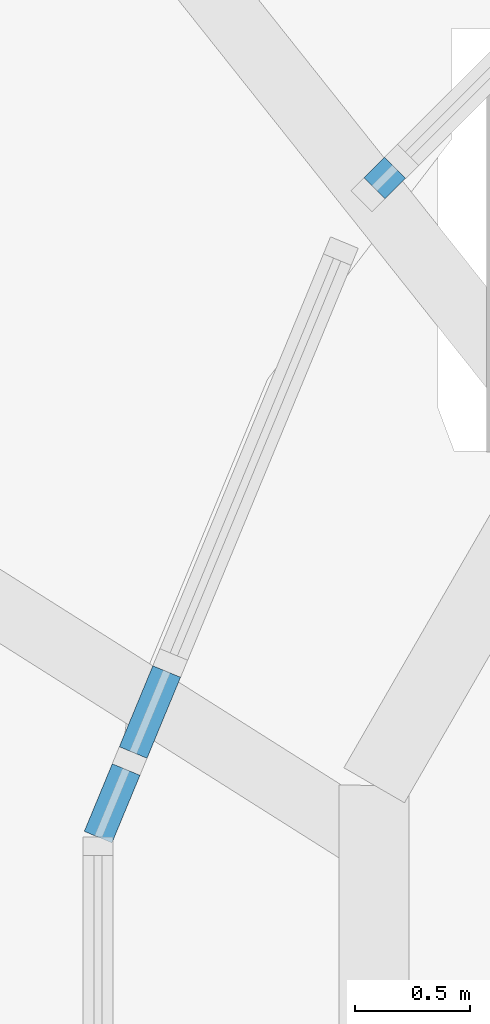
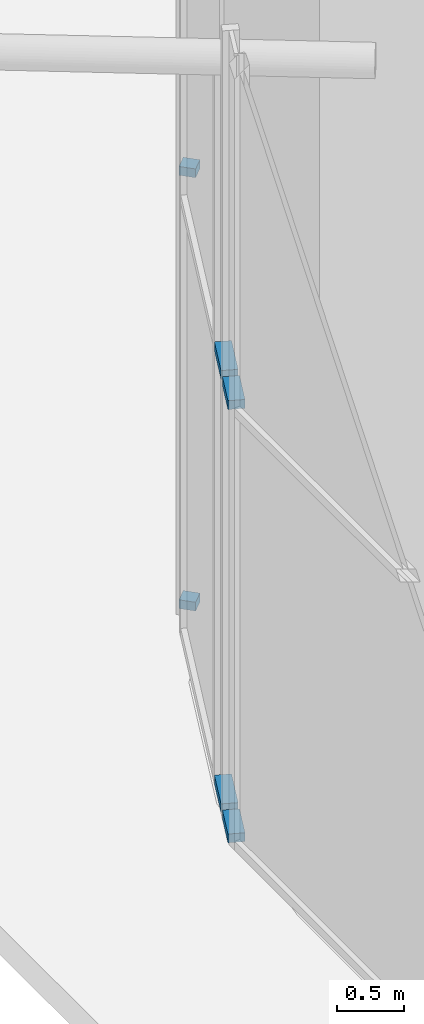
# One storey, part 15 of 34: 6 members, 3 elements without a shape of their own.
"""IFC4 building model written with IfcOpenShell, lengths in metres."""

from ifc_helpers import new_model, si_unit, direction, frame, origin, origin_2d, place, context, subcontext, project, spatial, rectangle, extrude, material, layer, layer_set, material_profile, profile_set, type_object, element, aggregate, save


model = new_model("IFC4")

# Units and contexts
model_context = context("Model", 3, precision=1e-05, world=origin(), true_north=direction((0.0, 1.0)))
body_context = subcontext(model_context, "Body", "Model", "MODEL_VIEW")
ifc_project = project(units=[si_unit("LENGTHUNIT", "METRE"), si_unit("AREAUNIT", "SQUARE_METRE"), si_unit("VOLUMEUNIT", "CUBIC_METRE"), si_unit("PLANEANGLEUNIT", "RADIAN"), si_unit("MASSUNIT", "GRAM", prefix="KILO")], contexts=[model_context])

# Site, building, storey
site_placement = place(None, origin())
site = spatial("IfcSite", under=ifc_project, at=site_placement, CompositionType="ELEMENT")
building_placement = place(site_placement, origin())
building = spatial("IfcBuilding", under=site, at=building_placement, Name="Marenta Gate Hotel Tower", CompositionType="ELEMENT")
storey_placement = place(building_placement, frame((0.0, 0.0, 97.699951171875)))
storey = spatial("IfcBuildingStorey", under=building, at=storey_placement, Name="L21", CompositionType="ELEMENT", Elevation=97.699951171875)

# Curtain wall, members
ifc_material_1 = material(Name="Tinted insulated glass in bronze anodised frame", Category="glass")
ifc_layer = layer(ifc_material_1, 0.1298828125)
ifc_layer_set = layer_set([ifc_layer], Name="Tinted insulated glass in bronze anodised frame")
curtain_wall_type = type_object("IfcCurtainWallType", Name="Sky lobby glazing CW2", PredefinedType="NOTDEFINED", material=ifc_layer_set)
curtain_wall_1_placement = place(storey_placement, origin())
curtain_wall_1 = element("IfcCurtainWall", 1, at=curtain_wall_1_placement, inside=storey, type_object=curtain_wall_type, Name="CW2 run G02", PredefinedType="NOTDEFINED")
ifc_material_2 = material(Name="Bronze anodised aluminium", Category="aluminium")
ifc_material_profile = material_profile(ifc_material_2, rectangle(XDim=0.1298828125, YDim=0.080078125, at=origin_2d()), Name="Transom CW2 80x130 bronze anodised aluminium")
ifc_profile_set = profile_set([ifc_material_profile], Name="Bronze anodised aluminium")
member_type = type_object("IfcMemberType", Name="Transom CW2 80x130 bronze anodised aluminium", PredefinedType="USERDEFINED", material=ifc_profile_set)
member_1_placement = place(storey_placement, frame((-26.031005859375, 25.967041015625, 0.0400390625), z_axis=(-0.707106781187, -0.707106781187, 0.0), x_axis=(0.707106781187, -0.707106781187, 0.0)))
member_1 = element("IfcMember", 2, at=member_1_placement, type_object=member_type, Name="CW2 transom 1.1", ObjectType="TRANSOM", PredefinedType="USERDEFINED", context=body_context, shape_type="SweptSolid", body=[
    extrude(rectangle(XDim=0.1298828125, YDim=0.080078125, at=origin_2d()), origin(), (0.0, 0.0, 1.0), 0.1259765625),
])
member_2_placement = place(storey_placement, frame((-26.031005859375, 25.967041015625, 4.0), z_axis=(-0.707106781187, -0.707106781187, 0.0), x_axis=(0.707106781187, -0.707106781187, 0.0)))
member_2 = element("IfcMember", 3, at=member_2_placement, type_object=member_type, Name="CW2 transom 1.2", ObjectType="TRANSOM", PredefinedType="USERDEFINED", context=body_context, shape_type="SweptSolid", body=[
    extrude(rectangle(XDim=0.1298828125, YDim=0.080078125, at=origin_2d()), origin(), (0.0, 0.0, 1.0), 0.1259765625),
])
aggregate(curtain_wall_1, [member_1, member_2])

curtain_wall_2_placement = place(storey_placement, origin())
curtain_wall_2 = element("IfcCurtainWall", 4, at=curtain_wall_2_placement, inside=storey, type_object=curtain_wall_type, Name="CW2 run G04", PredefinedType="NOTDEFINED")
member_3_placement = place(storey_placement, frame((-27.020263671875, 23.784423828125, 0.0400390625), z_axis=(-0.382560010025, -0.92393064606, 0.0), x_axis=(0.92393064606, -0.382560010025, 0.0)))
member_3 = element("IfcMember", 5, at=member_3_placement, type_object=member_type, Name="CW2 transom 1.1", ObjectType="TRANSOM", PredefinedType="USERDEFINED", context=body_context, shape_type="SweptSolid", body=[
    extrude(rectangle(XDim=0.1298828125, YDim=0.080078125, at=origin_2d()), origin(), (0.0, 0.0, 1.0), 0.379638671875),
])
member_4_placement = place(storey_placement, frame((-27.020263671875, 23.784423828125, 4.0), z_axis=(-0.382560010025, -0.92393064606, 0.0), x_axis=(0.92393064606, -0.382560010025, 0.0)))
member_4 = element("IfcMember", 6, at=member_4_placement, type_object=member_type, Name="CW2 transom 1.2", ObjectType="TRANSOM", PredefinedType="USERDEFINED", context=body_context, shape_type="SweptSolid", body=[
    extrude(rectangle(XDim=0.1298828125, YDim=0.080078125, at=origin_2d()), origin(), (0.0, 0.0, 1.0), 0.379638671875),
])
aggregate(curtain_wall_2, [member_3, member_4])

curtain_wall_3_placement = place(storey_placement, origin())
curtain_wall_3 = element("IfcCurtainWall", 7, at=curtain_wall_3_placement, inside=storey, type_object=curtain_wall_type, Name="CW2 run G05", PredefinedType="NOTDEFINED")
member_5_placement = place(storey_placement, frame((-27.196044921875, 23.35986328125, 0.0400390625), z_axis=(-0.382918810849, -0.923782000419, 0.0), x_axis=(0.923782000419, -0.382918810849, 0.0)))
member_5 = element("IfcMember", 8, at=member_5_placement, type_object=member_type, Name="CW2 transom 1.1", ObjectType="TRANSOM", PredefinedType="USERDEFINED", context=body_context, shape_type="SweptSolid", body=[
    extrude(rectangle(XDim=0.1298828125, YDim=0.080078125, at=origin_2d()), origin(), (0.0, 0.0, 1.0), 0.31689453125),
])
member_6_placement = place(storey_placement, frame((-27.196044921875, 23.35986328125, 4.0), z_axis=(-0.382918810849, -0.923782000419, 0.0), x_axis=(0.923782000419, -0.382918810849, 0.0)))
member_6 = element("IfcMember", 9, at=member_6_placement, type_object=member_type, Name="CW2 transom 1.2", ObjectType="TRANSOM", PredefinedType="USERDEFINED", context=body_context, shape_type="SweptSolid", body=[
    extrude(rectangle(XDim=0.1298828125, YDim=0.080078125, at=origin_2d()), origin(), (0.0, 0.0, 1.0), 0.31689453125),
])
aggregate(curtain_wall_3, [member_5, member_6])

save(model, "model.ifc")
